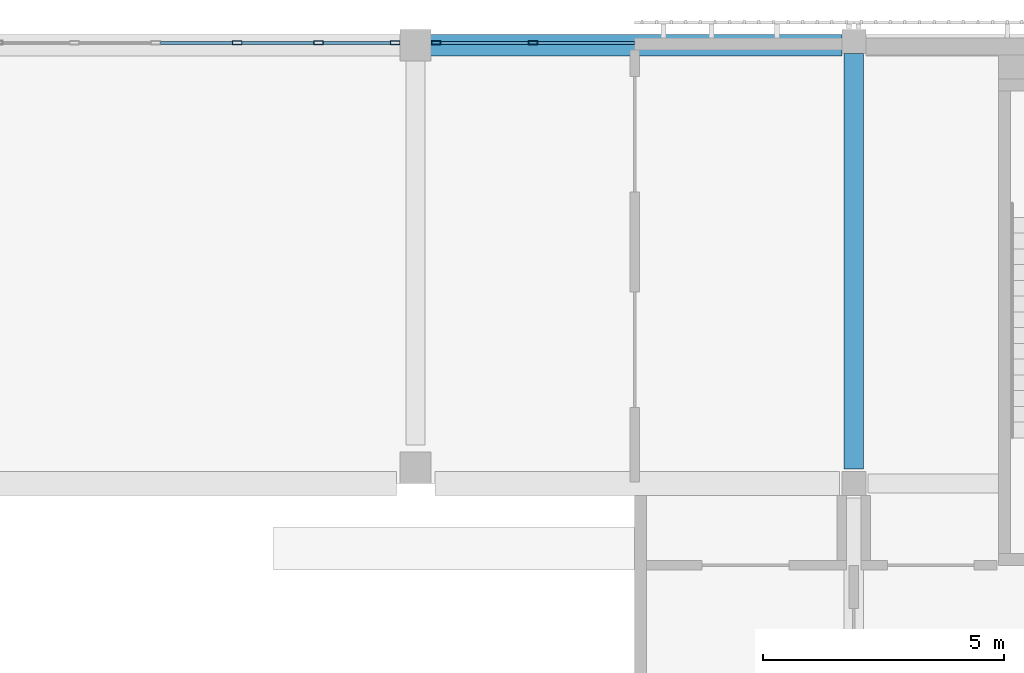
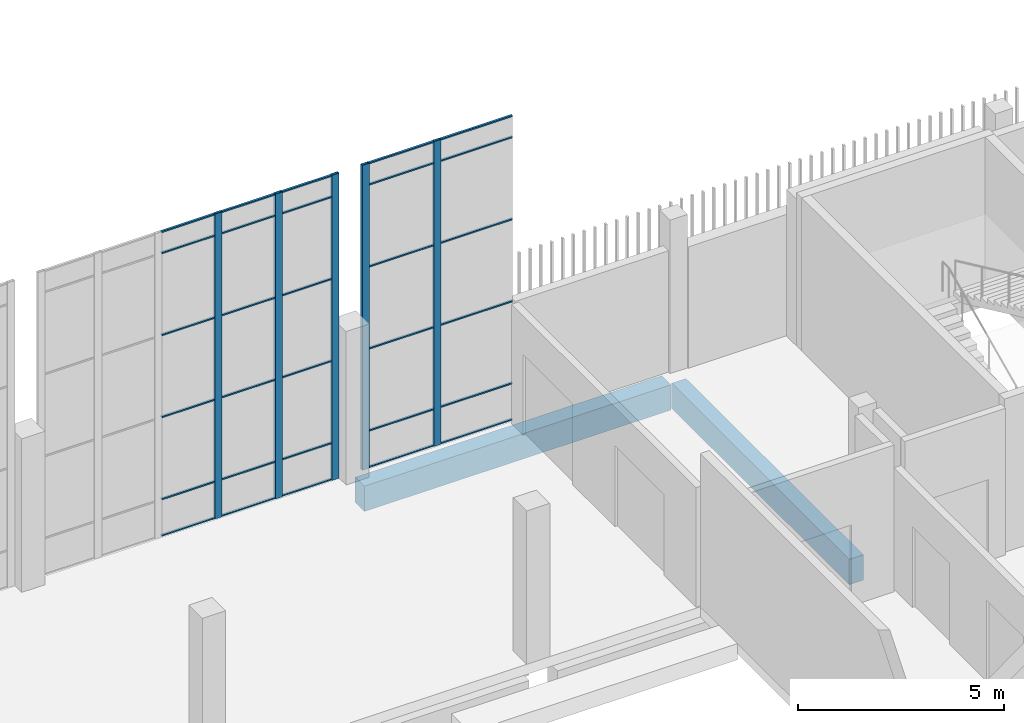
# One storey, part 24 of 91: 35 members, 2 beams, 2 elements without a shape of their own.
"""IFC4 building model written with IfcOpenShell, lengths in metres."""

from ifc_helpers import new_model, si_unit, direction, frame, origin, origin_2d, place, context, subcontext, project, spatial, rectangle, hollow_rectangle, extrude, material, layer, layer_set, material_profile, profile_set, type_object, element, aggregate, save


model = new_model("IFC4")

# Units and contexts
model_context = context("Model", 3, precision=1e-05, world=origin(), true_north=direction((0.0, 1.0)))
body_context = subcontext(model_context, "Body", "Model", "MODEL_VIEW")
ifc_project = project(units=[si_unit("LENGTHUNIT", "METRE"), si_unit("AREAUNIT", "SQUARE_METRE"), si_unit("VOLUMEUNIT", "CUBIC_METRE"), si_unit("PLANEANGLEUNIT", "RADIAN"), si_unit("MASSUNIT", "GRAM", prefix="KILO")], contexts=[model_context])

# Site, building, storey
site_placement = place(None, origin())
site = spatial("IfcSite", under=ifc_project, at=site_placement, CompositionType="ELEMENT")
building_placement = place(site_placement, origin())
building = spatial("IfcBuilding", under=site, at=building_placement, Name="Shirokan Park Arena", CompositionType="ELEMENT")
storey_placement = place(building_placement, frame((0.0, 0.0, 24.570068359375)))
storey = spatial("IfcBuildingStorey", under=building, at=storey_placement, Name="L05", CompositionType="ELEMENT", Elevation=24.570068359375)

# Curtain wall, members
ifc_material_1 = material(Name="Steel and glass curtain wall", Category="steel")
ifc_layer = layer(ifc_material_1, 0.199951171875)
ifc_layer_set = layer_set([ifc_layer], Name="Steel and glass curtain wall 200 mm")
curtain_wall_type = type_object("IfcCurtainWallType", Name="Curtain wall hall bay 200", PredefinedType="NOTDEFINED", material=ifc_layer_set)
curtain_wall_1_placement = place(storey_placement, origin())
curtain_wall_1 = element("IfcCurtainWall", 1, at=curtain_wall_1_placement, inside=storey, type_object=curtain_wall_type, Name="Curtain wall north bay 5 L05", PredefinedType="NOTDEFINED")
ifc_material_2 = material(Name="Steel S355", Category="steel")
ifc_material_profile_1 = material_profile(ifc_material_2, hollow_rectangle(XDim=0.080078125, YDim=0.199951171875, WallThickness=0.008056640625, at=origin_2d()), Name="RHS 200x80x8")
ifc_profile_set_1 = profile_set([ifc_material_profile_1], Name="Steel S355")
member_type_1 = type_object("IfcMemberType", Name="Mullion RHS 200x80x8", PredefinedType="MULLION", material=ifc_profile_set_1)
member_1_placement = place(storey_placement, frame((102.53759765625, 109.25, 0.0), z_axis=(0.0, 0.0, 1.0), x_axis=(0.0, -1.0, 0.0)))
member_1 = element("IfcMember", 2, at=member_1_placement, type_object=member_type_1, Name="CW5 mullion 2", PredefinedType="MULLION", context=body_context, shape_type="SweptSolid", body=[
    extrude(hollow_rectangle(XDim=0.080078125, YDim=0.199951171875, WallThickness=0.008056640625, at=origin_2d()), origin(), (0.0, 0.0, 1.0), 9.050048828125),
])
member_2_placement = place(storey_placement, frame((100.52490234375, 109.25, 0.0), z_axis=(0.0, 0.0, 1.0), x_axis=(0.0, -1.0, 0.0)))
member_2 = element("IfcMember", 3, at=member_2_placement, type_object=member_type_1, Name="CW5 mullion 3", PredefinedType="MULLION", context=body_context, shape_type="SweptSolid", body=[
    extrude(hollow_rectangle(XDim=0.080078125, YDim=0.199951171875, WallThickness=0.008056640625, at=origin_2d()), origin(), (0.0, 0.0, 1.0), 9.050048828125),
])

curtain_wall_2_placement = place(storey_placement, origin())
curtain_wall_2 = element("IfcCurtainWall", 4, at=curtain_wall_2_placement, inside=storey, type_object=curtain_wall_type, Name="Curtain wall north bay 6 L05", PredefinedType="NOTDEFINED")
member_3_placement = place(storey_placement, frame((99.675048828125, 109.25, 0.0), z_axis=(0.0, 0.0, 1.0), x_axis=(0.0, -1.0, 0.0)))
member_3 = element("IfcMember", 5, at=member_3_placement, type_object=member_type_1, Name="CW5 mullion 1", PredefinedType="MULLION", context=body_context, shape_type="SweptSolid", body=[
    extrude(hollow_rectangle(XDim=0.080078125, YDim=0.199951171875, WallThickness=0.008056640625, at=origin_2d()), origin(), (0.0, 0.0, 1.0), 9.050048828125),
])
member_4_placement = place(storey_placement, frame((98.0849609375, 109.25, 0.0), z_axis=(0.0, 0.0, 1.0), x_axis=(0.0, -1.0, 0.0)))
member_4 = element("IfcMember", 6, at=member_4_placement, type_object=member_type_1, Name="CW5 mullion 2", PredefinedType="MULLION", context=body_context, shape_type="SweptSolid", body=[
    extrude(hollow_rectangle(XDim=0.080078125, YDim=0.199951171875, WallThickness=0.008056640625, at=origin_2d()), origin(), (0.0, 0.0, 1.0), 9.050048828125),
])
member_5_placement = place(storey_placement, frame((96.39501953125, 109.25, 0.0), z_axis=(0.0, 0.0, 1.0), x_axis=(0.0, -1.0, 0.0)))
member_5 = element("IfcMember", 7, at=member_5_placement, type_object=member_type_1, Name="CW5 mullion 3", PredefinedType="MULLION", context=body_context, shape_type="SweptSolid", body=[
    extrude(hollow_rectangle(XDim=0.080078125, YDim=0.199951171875, WallThickness=0.008056640625, at=origin_2d()), origin(), (0.0, 0.0, 1.0), 9.050048828125),
])

# Beams
ifc_material_3 = material(Name="Concrete C35", Category="concrete")
ifc_material_profile_2 = material_profile(ifc_material_3, rectangle(XDim=0.39990234375, YDim=0.75, at=origin_2d()), Name="400x750")
ifc_profile_set_2 = profile_set([ifc_material_profile_2], Name="Concrete C35")
beam_type_1 = type_object("IfcBeamType", Name="RC girder 400x750", PredefinedType="BEAM", material=ifc_profile_set_2)
beam_1_placement = place(storey_placement, frame((109.199951171875, 100.400146484375, -0.675048828125), z_axis=(0.0, 1.0, 0.0), x_axis=(-1.0, 0.0, 0.0)))
element("IfcBeam", 8, at=beam_1_placement, inside=storey, type_object=beam_type_1, Name="Girder 13M-13N L05", PredefinedType="BEAM", context=body_context, shape_type="SweptSolid", body=[
    extrude(rectangle(XDim=0.39990234375, YDim=0.75, at=origin_2d()), origin(), (0.0, 0.0, 1.0), 8.624755859375),
])
ifc_material_profile_3 = material_profile(ifc_material_3, rectangle(XDim=0.449951171875, YDim=0.75, at=origin_2d()), Name="450x750")
ifc_profile_set_3 = profile_set([ifc_material_profile_3], Name="Concrete C35")
beam_type_2 = type_object("IfcBeamType", Name="RC girder 450x750", PredefinedType="BEAM", material=ifc_profile_set_3)
beam_2_placement = place(storey_placement, frame((100.35009765625, 109.199951171875, -0.675048828125), z_axis=(1.0, 0.0, 0.0), x_axis=(0.0, 1.0, 0.0)))
element("IfcBeam", 9, at=beam_2_placement, inside=storey, type_object=beam_type_2, Name="Girder 12N-13N L05", PredefinedType="BEAM", context=body_context, shape_type="SweptSolid", body=[
    extrude(rectangle(XDim=0.449951171875, YDim=0.75, at=origin_2d()), origin(), (0.0, 0.0, 1.0), 8.599853515625),
])

# Member
ifc_material_profile_4 = material_profile(ifc_material_2, hollow_rectangle(XDim=0.06005859375, YDim=0.0400390625, WallThickness=0.00390625, at=origin_2d()), Name="RHS 60x40x4")
ifc_profile_set_4 = profile_set([ifc_material_profile_4], Name="Steel S355")
member_type_2 = type_object("IfcMemberType", Name="Transom RHS 60x40x4", PredefinedType="MULLION", material=ifc_profile_set_4)
member_6_placement = place(storey_placement, frame((104.64990234375, 109.25, 0.02001953125), z_axis=(-1.0, 0.0, 0.0), x_axis=(0.0, -1.0, 0.0)))
member_6 = element("IfcMember", 10, at=member_6_placement, type_object=member_type_2, Name="CW5 transom 1.1", PredefinedType="MULLION", context=body_context, shape_type="SweptSolid", body=[
    extrude(hollow_rectangle(XDim=0.06005859375, YDim=0.0400390625, WallThickness=0.00390625, at=origin_2d()), origin(), (0.0, 0.0, 1.0), 2.012451171875),
])

member_7_placement = place(storey_placement, frame((104.64990234375, 109.25, 1.099853515625), z_axis=(-1.0, 0.0, 0.0), x_axis=(0.0, -1.0, 0.0)))
member_7 = element("IfcMember", 11, at=member_7_placement, type_object=member_type_2, Name="CW5 transom 1.2", PredefinedType="MULLION", context=body_context, shape_type="SweptSolid", body=[
    extrude(hollow_rectangle(XDim=0.06005859375, YDim=0.0400390625, WallThickness=0.00390625, at=origin_2d()), origin(), (0.0, 0.0, 1.0), 2.012451171875),
])

member_8_placement = place(storey_placement, frame((104.64990234375, 109.25, 3.533203125), z_axis=(-1.0, 0.0, 0.0), x_axis=(0.0, -1.0, 0.0)))
member_8 = element("IfcMember", 12, at=member_8_placement, type_object=member_type_2, Name="CW5 transom 1.3", PredefinedType="MULLION", context=body_context, shape_type="SweptSolid", body=[
    extrude(hollow_rectangle(XDim=0.06005859375, YDim=0.0400390625, WallThickness=0.00390625, at=origin_2d()), origin(), (0.0, 0.0, 1.0), 2.012451171875),
])

member_9_placement = place(storey_placement, frame((104.64990234375, 109.25, 5.966552734375), z_axis=(-1.0, 0.0, 0.0), x_axis=(0.0, -1.0, 0.0)))
member_9 = element("IfcMember", 13, at=member_9_placement, type_object=member_type_2, Name="CW5 transom 1.4", PredefinedType="MULLION", context=body_context, shape_type="SweptSolid", body=[
    extrude(hollow_rectangle(XDim=0.06005859375, YDim=0.0400390625, WallThickness=0.00390625, at=origin_2d()), origin(), (0.0, 0.0, 1.0), 2.012451171875),
])

member_10_placement = place(storey_placement, frame((104.64990234375, 109.25, 8.39990234375), z_axis=(-1.0, 0.0, 0.0), x_axis=(0.0, -1.0, 0.0)))
member_10 = element("IfcMember", 14, at=member_10_placement, type_object=member_type_2, Name="CW5 transom 1.5", PredefinedType="MULLION", context=body_context, shape_type="SweptSolid", body=[
    extrude(hollow_rectangle(XDim=0.06005859375, YDim=0.0400390625, WallThickness=0.00390625, at=origin_2d()), origin(), (0.0, 0.0, 1.0), 2.012451171875),
])

member_11_placement = place(storey_placement, frame((104.64990234375, 109.25, 9.030029296875), z_axis=(-1.0, 0.0, 0.0), x_axis=(0.0, -1.0, 0.0)))
member_11 = element("IfcMember", 15, at=member_11_placement, type_object=member_type_2, Name="CW5 transom 1.6", PredefinedType="MULLION", context=body_context, shape_type="SweptSolid", body=[
    extrude(hollow_rectangle(XDim=0.06005859375, YDim=0.0400390625, WallThickness=0.00390625, at=origin_2d()), origin(), (0.0, 0.0, 1.0), 2.012451171875),
])

member_12_placement = place(storey_placement, frame((102.4375, 109.25, 0.02001953125), z_axis=(-1.0, 0.0, 0.0), x_axis=(0.0, -1.0, 0.0)))
member_12 = element("IfcMember", 16, at=member_12_placement, type_object=member_type_2, Name="CW5 transom 2.1", PredefinedType="MULLION", context=body_context, shape_type="SweptSolid", body=[
    extrude(hollow_rectangle(XDim=0.06005859375, YDim=0.0400390625, WallThickness=0.00390625, at=origin_2d()), origin(), (0.0, 0.0, 1.0), 1.8125),
])

member_13_placement = place(storey_placement, frame((102.4375, 109.25, 1.099853515625), z_axis=(-1.0, 0.0, 0.0), x_axis=(0.0, -1.0, 0.0)))
member_13 = element("IfcMember", 17, at=member_13_placement, type_object=member_type_2, Name="CW5 transom 2.2", PredefinedType="MULLION", context=body_context, shape_type="SweptSolid", body=[
    extrude(hollow_rectangle(XDim=0.06005859375, YDim=0.0400390625, WallThickness=0.00390625, at=origin_2d()), origin(), (0.0, 0.0, 1.0), 1.8125),
])

member_14_placement = place(storey_placement, frame((102.4375, 109.25, 3.533203125), z_axis=(-1.0, 0.0, 0.0), x_axis=(0.0, -1.0, 0.0)))
member_14 = element("IfcMember", 18, at=member_14_placement, type_object=member_type_2, Name="CW5 transom 2.3", PredefinedType="MULLION", context=body_context, shape_type="SweptSolid", body=[
    extrude(hollow_rectangle(XDim=0.06005859375, YDim=0.0400390625, WallThickness=0.00390625, at=origin_2d()), origin(), (0.0, 0.0, 1.0), 1.8125),
])

member_15_placement = place(storey_placement, frame((102.4375, 109.25, 5.966552734375), z_axis=(-1.0, 0.0, 0.0), x_axis=(0.0, -1.0, 0.0)))
member_15 = element("IfcMember", 19, at=member_15_placement, type_object=member_type_2, Name="CW5 transom 2.4", PredefinedType="MULLION", context=body_context, shape_type="SweptSolid", body=[
    extrude(hollow_rectangle(XDim=0.06005859375, YDim=0.0400390625, WallThickness=0.00390625, at=origin_2d()), origin(), (0.0, 0.0, 1.0), 1.8125),
])

member_16_placement = place(storey_placement, frame((102.4375, 109.25, 8.39990234375), z_axis=(-1.0, 0.0, 0.0), x_axis=(0.0, -1.0, 0.0)))
member_16 = element("IfcMember", 20, at=member_16_placement, type_object=member_type_2, Name="CW5 transom 2.5", PredefinedType="MULLION", context=body_context, shape_type="SweptSolid", body=[
    extrude(hollow_rectangle(XDim=0.06005859375, YDim=0.0400390625, WallThickness=0.00390625, at=origin_2d()), origin(), (0.0, 0.0, 1.0), 1.8125),
])

member_17_placement = place(storey_placement, frame((102.4375, 109.25, 9.030029296875), z_axis=(-1.0, 0.0, 0.0), x_axis=(0.0, -1.0, 0.0)))
member_17 = element("IfcMember", 21, at=member_17_placement, type_object=member_type_2, Name="CW5 transom 2.6", PredefinedType="MULLION", context=body_context, shape_type="SweptSolid", body=[
    extrude(hollow_rectangle(XDim=0.06005859375, YDim=0.0400390625, WallThickness=0.00390625, at=origin_2d()), origin(), (0.0, 0.0, 1.0), 1.8125),
])

aggregate(curtain_wall_1, [member_1, member_2, member_6, member_7, member_8, member_9, member_10, member_11, member_12, member_13, member_14, member_15, member_16, member_17])

member_18_placement = place(storey_placement, frame((99.574951171875, 109.25, 0.02001953125), z_axis=(-1.0, 0.0, 0.0), x_axis=(0.0, -1.0, 0.0)))
member_18 = element("IfcMember", 22, at=member_18_placement, type_object=member_type_2, Name="CW5 transom 1.1", PredefinedType="MULLION", context=body_context, shape_type="SweptSolid", body=[
    extrude(hollow_rectangle(XDim=0.06005859375, YDim=0.0400390625, WallThickness=0.00390625, at=origin_2d()), origin(), (0.0, 0.0, 1.0), 1.389892578125),
])

member_19_placement = place(storey_placement, frame((99.574951171875, 109.25, 1.099853515625), z_axis=(-1.0, 0.0, 0.0), x_axis=(0.0, -1.0, 0.0)))
member_19 = element("IfcMember", 23, at=member_19_placement, type_object=member_type_2, Name="CW5 transom 1.2", PredefinedType="MULLION", context=body_context, shape_type="SweptSolid", body=[
    extrude(hollow_rectangle(XDim=0.06005859375, YDim=0.0400390625, WallThickness=0.00390625, at=origin_2d()), origin(), (0.0, 0.0, 1.0), 1.389892578125),
])

member_20_placement = place(storey_placement, frame((99.574951171875, 109.25, 3.533203125), z_axis=(-1.0, 0.0, 0.0), x_axis=(0.0, -1.0, 0.0)))
member_20 = element("IfcMember", 24, at=member_20_placement, type_object=member_type_2, Name="CW5 transom 1.3", PredefinedType="MULLION", context=body_context, shape_type="SweptSolid", body=[
    extrude(hollow_rectangle(XDim=0.06005859375, YDim=0.0400390625, WallThickness=0.00390625, at=origin_2d()), origin(), (0.0, 0.0, 1.0), 1.389892578125),
])

member_21_placement = place(storey_placement, frame((99.574951171875, 109.25, 5.966552734375), z_axis=(-1.0, 0.0, 0.0), x_axis=(0.0, -1.0, 0.0)))
member_21 = element("IfcMember", 25, at=member_21_placement, type_object=member_type_2, Name="CW5 transom 1.4", PredefinedType="MULLION", context=body_context, shape_type="SweptSolid", body=[
    extrude(hollow_rectangle(XDim=0.06005859375, YDim=0.0400390625, WallThickness=0.00390625, at=origin_2d()), origin(), (0.0, 0.0, 1.0), 1.389892578125),
])

member_22_placement = place(storey_placement, frame((99.574951171875, 109.25, 8.39990234375), z_axis=(-1.0, 0.0, 0.0), x_axis=(0.0, -1.0, 0.0)))
member_22 = element("IfcMember", 26, at=member_22_placement, type_object=member_type_2, Name="CW5 transom 1.5", PredefinedType="MULLION", context=body_context, shape_type="SweptSolid", body=[
    extrude(hollow_rectangle(XDim=0.06005859375, YDim=0.0400390625, WallThickness=0.00390625, at=origin_2d()), origin(), (0.0, 0.0, 1.0), 1.389892578125),
])

member_23_placement = place(storey_placement, frame((99.574951171875, 109.25, 9.030029296875), z_axis=(-1.0, 0.0, 0.0), x_axis=(0.0, -1.0, 0.0)))
member_23 = element("IfcMember", 27, at=member_23_placement, type_object=member_type_2, Name="CW5 transom 1.6", PredefinedType="MULLION", context=body_context, shape_type="SweptSolid", body=[
    extrude(hollow_rectangle(XDim=0.06005859375, YDim=0.0400390625, WallThickness=0.00390625, at=origin_2d()), origin(), (0.0, 0.0, 1.0), 1.389892578125),
])

member_24_placement = place(storey_placement, frame((97.985107421875, 109.25, 0.02001953125), z_axis=(-1.0, 0.0, 0.0), x_axis=(0.0, -1.0, 0.0)))
member_24 = element("IfcMember", 28, at=member_24_placement, type_object=member_type_2, Name="CW5 transom 2.1", PredefinedType="MULLION", context=body_context, shape_type="SweptSolid", body=[
    extrude(hollow_rectangle(XDim=0.06005859375, YDim=0.0400390625, WallThickness=0.00390625, at=origin_2d()), origin(), (0.0, 0.0, 1.0), 1.489990234375),
])

member_25_placement = place(storey_placement, frame((97.985107421875, 109.25, 1.099853515625), z_axis=(-1.0, 0.0, 0.0), x_axis=(0.0, -1.0, 0.0)))
member_25 = element("IfcMember", 29, at=member_25_placement, type_object=member_type_2, Name="CW5 transom 2.2", PredefinedType="MULLION", context=body_context, shape_type="SweptSolid", body=[
    extrude(hollow_rectangle(XDim=0.06005859375, YDim=0.0400390625, WallThickness=0.00390625, at=origin_2d()), origin(), (0.0, 0.0, 1.0), 1.489990234375),
])

member_26_placement = place(storey_placement, frame((97.985107421875, 109.25, 3.533203125), z_axis=(-1.0, 0.0, 0.0), x_axis=(0.0, -1.0, 0.0)))
member_26 = element("IfcMember", 30, at=member_26_placement, type_object=member_type_2, Name="CW5 transom 2.3", PredefinedType="MULLION", context=body_context, shape_type="SweptSolid", body=[
    extrude(hollow_rectangle(XDim=0.06005859375, YDim=0.0400390625, WallThickness=0.00390625, at=origin_2d()), origin(), (0.0, 0.0, 1.0), 1.489990234375),
])

member_27_placement = place(storey_placement, frame((97.985107421875, 109.25, 5.966552734375), z_axis=(-1.0, 0.0, 0.0), x_axis=(0.0, -1.0, 0.0)))
member_27 = element("IfcMember", 31, at=member_27_placement, type_object=member_type_2, Name="CW5 transom 2.4", PredefinedType="MULLION", context=body_context, shape_type="SweptSolid", body=[
    extrude(hollow_rectangle(XDim=0.06005859375, YDim=0.0400390625, WallThickness=0.00390625, at=origin_2d()), origin(), (0.0, 0.0, 1.0), 1.489990234375),
])

member_28_placement = place(storey_placement, frame((97.985107421875, 109.25, 8.39990234375), z_axis=(-1.0, 0.0, 0.0), x_axis=(0.0, -1.0, 0.0)))
member_28 = element("IfcMember", 32, at=member_28_placement, type_object=member_type_2, Name="CW5 transom 2.5", PredefinedType="MULLION", context=body_context, shape_type="SweptSolid", body=[
    extrude(hollow_rectangle(XDim=0.06005859375, YDim=0.0400390625, WallThickness=0.00390625, at=origin_2d()), origin(), (0.0, 0.0, 1.0), 1.489990234375),
])

member_29_placement = place(storey_placement, frame((97.985107421875, 109.25, 9.030029296875), z_axis=(-1.0, 0.0, 0.0), x_axis=(0.0, -1.0, 0.0)))
member_29 = element("IfcMember", 33, at=member_29_placement, type_object=member_type_2, Name="CW5 transom 2.6", PredefinedType="MULLION", context=body_context, shape_type="SweptSolid", body=[
    extrude(hollow_rectangle(XDim=0.06005859375, YDim=0.0400390625, WallThickness=0.00390625, at=origin_2d()), origin(), (0.0, 0.0, 1.0), 1.489990234375),
])

member_30_placement = place(storey_placement, frame((96.294921875, 109.25, 0.02001953125), z_axis=(-1.0, 0.0, 0.0), x_axis=(0.0, -1.0, 0.0)))
member_30 = element("IfcMember", 34, at=member_30_placement, type_object=member_type_2, Name="CW5 transom 3.1", PredefinedType="MULLION", context=body_context, shape_type="SweptSolid", body=[
    extrude(hollow_rectangle(XDim=0.06005859375, YDim=0.0400390625, WallThickness=0.00390625, at=origin_2d()), origin(), (0.0, 0.0, 1.0), 1.489990234375),
])

member_31_placement = place(storey_placement, frame((96.294921875, 109.25, 1.099853515625), z_axis=(-1.0, 0.0, 0.0), x_axis=(0.0, -1.0, 0.0)))
member_31 = element("IfcMember", 35, at=member_31_placement, type_object=member_type_2, Name="CW5 transom 3.2", PredefinedType="MULLION", context=body_context, shape_type="SweptSolid", body=[
    extrude(hollow_rectangle(XDim=0.06005859375, YDim=0.0400390625, WallThickness=0.00390625, at=origin_2d()), origin(), (0.0, 0.0, 1.0), 1.489990234375),
])

member_32_placement = place(storey_placement, frame((96.294921875, 109.25, 3.533203125), z_axis=(-1.0, 0.0, 0.0), x_axis=(0.0, -1.0, 0.0)))
member_32 = element("IfcMember", 36, at=member_32_placement, type_object=member_type_2, Name="CW5 transom 3.3", PredefinedType="MULLION", context=body_context, shape_type="SweptSolid", body=[
    extrude(hollow_rectangle(XDim=0.06005859375, YDim=0.0400390625, WallThickness=0.00390625, at=origin_2d()), origin(), (0.0, 0.0, 1.0), 1.489990234375),
])

member_33_placement = place(storey_placement, frame((96.294921875, 109.25, 5.966552734375), z_axis=(-1.0, 0.0, 0.0), x_axis=(0.0, -1.0, 0.0)))
member_33 = element("IfcMember", 37, at=member_33_placement, type_object=member_type_2, Name="CW5 transom 3.4", PredefinedType="MULLION", context=body_context, shape_type="SweptSolid", body=[
    extrude(hollow_rectangle(XDim=0.06005859375, YDim=0.0400390625, WallThickness=0.00390625, at=origin_2d()), origin(), (0.0, 0.0, 1.0), 1.489990234375),
])

member_34_placement = place(storey_placement, frame((96.294921875, 109.25, 8.39990234375), z_axis=(-1.0, 0.0, 0.0), x_axis=(0.0, -1.0, 0.0)))
member_34 = element("IfcMember", 38, at=member_34_placement, type_object=member_type_2, Name="CW5 transom 3.5", PredefinedType="MULLION", context=body_context, shape_type="SweptSolid", body=[
    extrude(hollow_rectangle(XDim=0.06005859375, YDim=0.0400390625, WallThickness=0.00390625, at=origin_2d()), origin(), (0.0, 0.0, 1.0), 1.489990234375),
])

member_35_placement = place(storey_placement, frame((96.294921875, 109.25, 9.030029296875), z_axis=(-1.0, 0.0, 0.0), x_axis=(0.0, -1.0, 0.0)))
member_35 = element("IfcMember", 39, at=member_35_placement, type_object=member_type_2, Name="CW5 transom 3.6", PredefinedType="MULLION", context=body_context, shape_type="SweptSolid", body=[
    extrude(hollow_rectangle(XDim=0.06005859375, YDim=0.0400390625, WallThickness=0.00390625, at=origin_2d()), origin(), (0.0, 0.0, 1.0), 1.489990234375),
])

aggregate(curtain_wall_2, [member_3, member_4, member_5, member_18, member_19, member_20, member_21, member_22, member_23, member_24, member_25, member_26, member_27, member_28, member_29, member_30, member_31, member_32, member_33, member_34, member_35])

save(model, "model.ifc")
